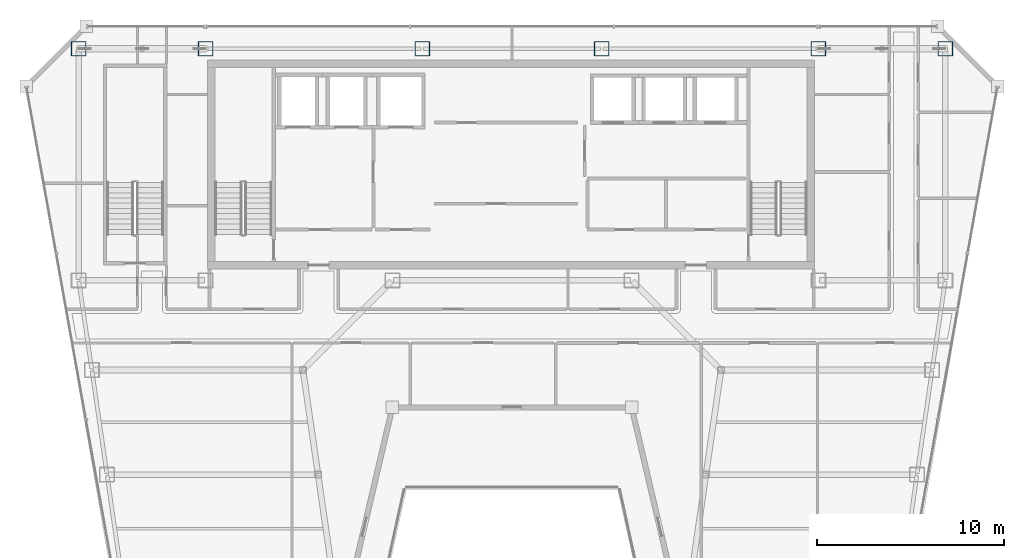
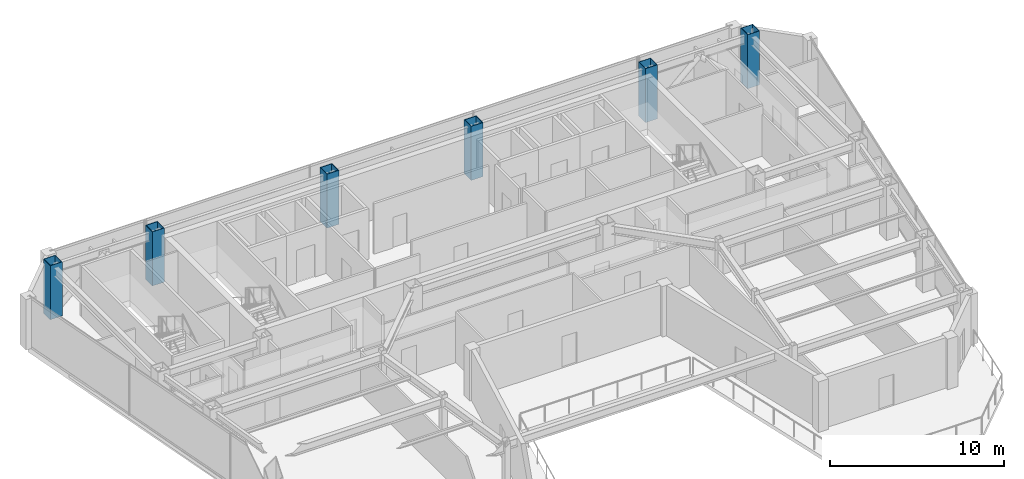
# One storey, part 2 of 28: 6 columns.
"""IFC4 building model written with IfcOpenShell, lengths in metres."""

from ifc_helpers import new_model, si_unit, direction, frame, origin, origin_2d, place, context, subcontext, project, spatial, hollow_rectangle, extrude, material, material_profile, profile_set, type_object, element, save


model = new_model("IFC4")

# Units and contexts
model_context = context("Model", 3, precision=1e-05, world=origin(), true_north=direction((0.0, 1.0)))
body_context = subcontext(model_context, "Body", "Model", "MODEL_VIEW")
ifc_project = project(units=[si_unit("LENGTHUNIT", "METRE"), si_unit("AREAUNIT", "SQUARE_METRE"), si_unit("VOLUMEUNIT", "CUBIC_METRE"), si_unit("PLANEANGLEUNIT", "RADIAN"), si_unit("MASSUNIT", "GRAM", prefix="KILO")], contexts=[model_context])

# Site, building, storey
site_placement = place(None, origin())
site = spatial("IfcSite", under=ifc_project, at=site_placement, CompositionType="ELEMENT")
building_placement = place(site_placement, origin())
building = spatial("IfcBuilding", under=site, at=building_placement, Name="Saevonmaru Cultural Tower", CompositionType="ELEMENT")
storey_placement = place(building_placement, frame((0.0, 0.0, 253.39990234375)))
storey = spatial("IfcBuildingStorey", under=building, at=storey_placement, Name="L59", CompositionType="ELEMENT", Elevation=253.39990234375)

# Columns
ifc_material = material(Name="Steel SM420", Category="steel")
ifc_material_profile = material_profile(ifc_material, hollow_rectangle(XDim=0.800048828125, YDim=0.800048828125, WallThickness=0.035888671875, at=origin_2d()), Name="BOX-800x800x36")
ifc_profile_set = profile_set([ifc_material_profile], Name="Steel SM420")
column_type = type_object("IfcColumnType", Name="COL-BOX-800", PredefinedType="COLUMN", material=ifc_profile_set)
for number, where, z_axis, x_axis, name in (
    (1, (6.800048828125, 54.800048828125, 0.0), (0.0, 0.0, 1.0), (1.0, 0.0, 0.0), "L59 Column TC-N1N"),
    (2, (13.60009765625, 54.800048828125, 0.0), (0.0, 0.0, 1.0), (1.0, 0.0, 0.0), "L59 Column TC-N2N"),
    (3, (25.199951171875, 54.800048828125, 0.0), (0.0, 0.0, 1.0), (1.0, 0.0, 0.0), "L59 Column TC-N3N"),
    (4, (34.800048828125, 54.800048828125, 0.0), (0.0, 0.0, 1.0), (1.0, 0.0, 0.0), "L59 Column TC-N4N"),
    (5, (46.39990234375, 54.800048828125, 0.0), (0.0, 0.0, 1.0), (1.0, 0.0, 0.0), "L59 Column TC-N5N"),
    (6, (53.199951171875, 54.800048828125, 0.0), (0.0, 0.0, 1.0), (1.0, 0.0, 0.0), "L59 Column TC-N6N"),
):
    element("IfcColumn", number, at=place(storey_placement, frame(where, z_axis=z_axis, x_axis=x_axis)), inside=storey, type_object=column_type, Name=name, PredefinedType="COLUMN", context=body_context, shape_type="SweptSolid", body=[
        extrude(hollow_rectangle(XDim=0.800048828125, YDim=0.800048828125, WallThickness=0.035888671875, at=origin_2d()), origin(), (0.0, 0.0, 1.0), 3.800048828125),
    ])

save(model, "model.ifc")
